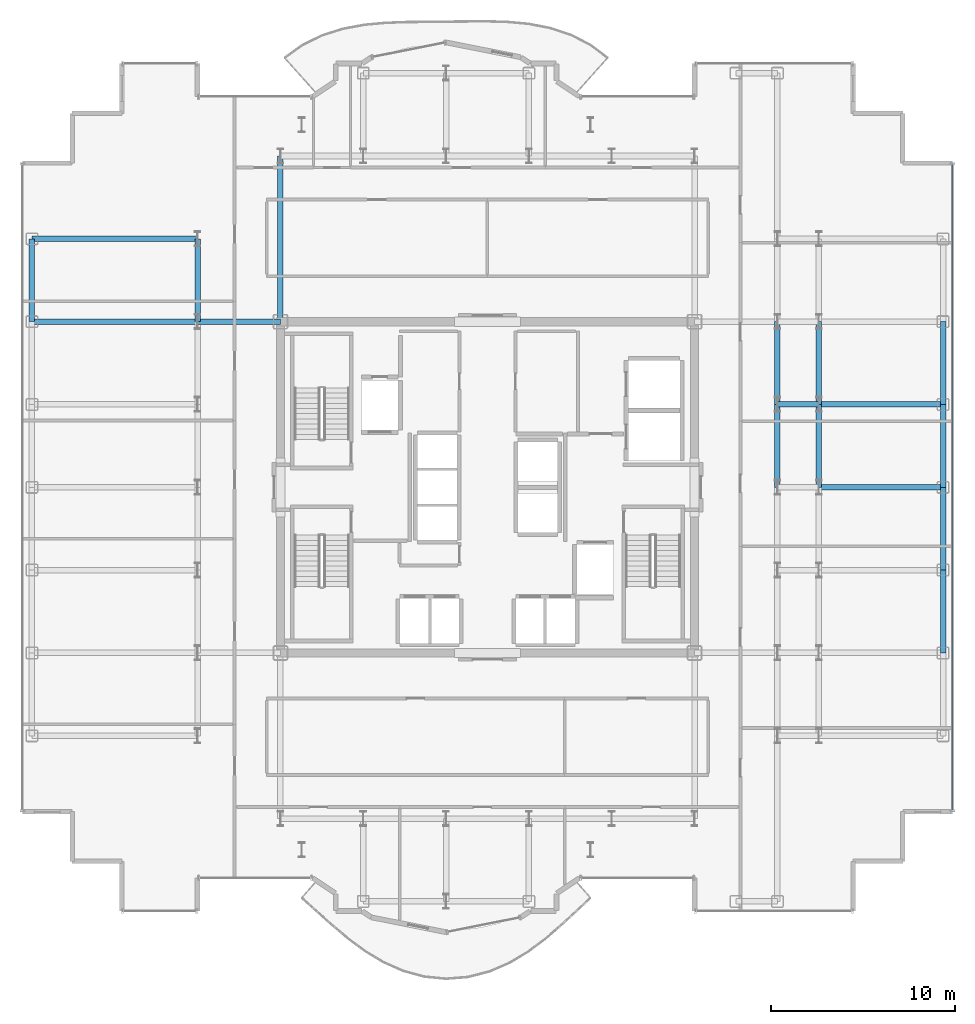
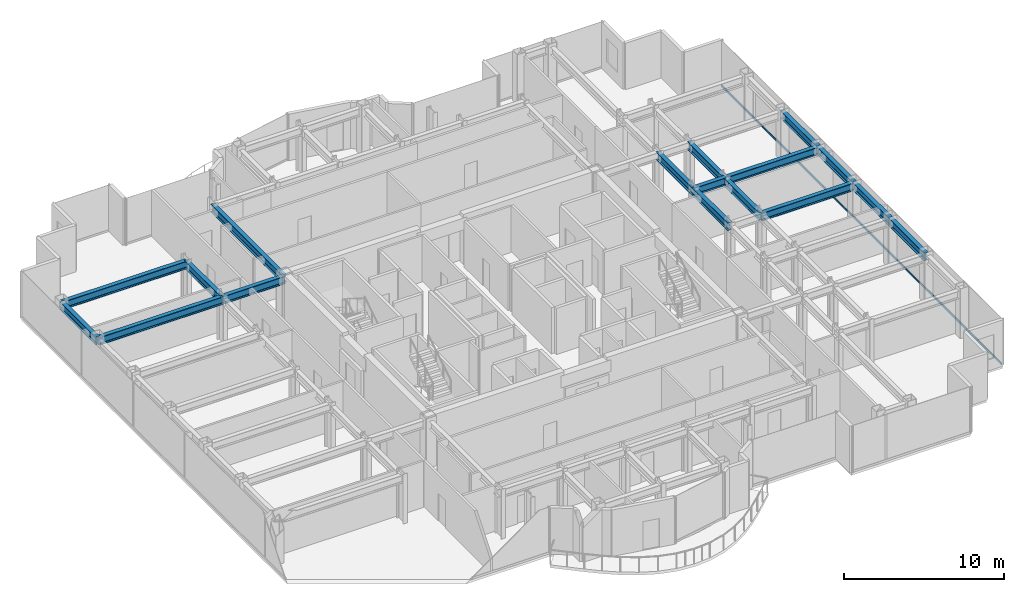
# One storey, part 7 of 20: 17 beams, 1 member, 1 element without a shape of its own.
"""IFC4 building model written with IfcOpenShell, lengths in metres."""

from ifc_helpers import new_model, si_unit, direction, frame, origin, origin_2d, place, context, subcontext, project, spatial, hollow_rectangle, i_section, extrude, source, transform, mapped, material, layer, layer_set, material_profile, profile_set, type_object, element, aggregate, save


model = new_model("IFC4")

# Units and contexts
model_context = context("Model", 3, precision=1e-05, world=origin(), true_north=direction((0.0, 1.0)))
body_context = subcontext(model_context, "Body", "Model", "MODEL_VIEW")
ifc_project = project(units=[si_unit("LENGTHUNIT", "METRE"), si_unit("AREAUNIT", "SQUARE_METRE"), si_unit("VOLUMEUNIT", "CUBIC_METRE"), si_unit("PLANEANGLEUNIT", "RADIAN"), si_unit("MASSUNIT", "GRAM", prefix="KILO")], contexts=[model_context])

# Site, building, storey
site_placement = place(None, origin())
site = spatial("IfcSite", under=ifc_project, at=site_placement, CompositionType="ELEMENT")
building_placement = place(site_placement, origin())
building = spatial("IfcBuilding", under=site, at=building_placement, Name="Nefas-Gora Pilgrimage Tower", CompositionType="ELEMENT")
storey_placement = place(building_placement, frame((0.0, 0.0, 225.60009765625)))
storey = spatial("IfcBuildingStorey", under=building, at=storey_placement, Name="L56", CompositionType="ELEMENT", Elevation=225.60009765625)

# Beams
ifc_material_1 = material(Name="Steel S355", Category="steel")
ifc_material_profile_1 = material_profile(ifc_material_1, i_section(OverallWidth=0.300048828125, OverallDepth=0.60009765625, WebThickness=0.015380859375, FlangeThickness=0.030029296875, FilletRadius=0.027099609375, at=origin_2d()), Name="HEB 600")
ifc_profile_set_1 = profile_set([ifc_material_profile_1], Name="Steel S355")
beam_type_1 = type_object("IfcBeamType", Name="BM-SPN-HEB450", PredefinedType="SPANDREL", material=ifc_profile_set_1)
shared_shape_1 = source(origin(), body_context, "Body", "SweptSolid", [
    extrude(i_section(OverallWidth=0.300048828125, OverallDepth=0.60009765625, WebThickness=0.015380859375, FlangeThickness=0.030029296875, FilletRadius=0.027099609375, at=origin_2d()), origin(), (0.0, 0.0, 1.0), 4.5),
])
for number, where, z_axis, x_axis, name in (
    (1, (-24.75, 9.0, 3.25), (0.0, 1.0, 0.0), (-1.0, 0.0, 0.0), "L56 SP-03 beam"),
    (2, (24.75, -9.0, 3.25), (0.0, 1.0, 0.0), (-1.0, 0.0, 0.0), "L56 SP-03 beam"),
    (3, (24.75, -4.5, 3.25), (0.0, 1.0, 0.0), (-1.0, 0.0, 0.0), "L56 SP-03 beam"),
    (4, (24.75, 0.0, 3.25), (0.0, 1.0, 0.0), (-1.0, 0.0, 0.0), "L56 SP-03 beam"),
    (5, (24.75, 4.5, 3.25), (0.0, 1.0, 0.0), (-1.0, 0.0, 0.0), "L56 SP-03 beam"),
):
    element("IfcBeam", number, at=place(storey_placement, frame(where, z_axis=z_axis, x_axis=x_axis)), inside=storey, type_object=beam_type_1, Name=name, PredefinedType="SPANDREL", context=body_context, shape_type="MappedRepresentation", body=[
        mapped(shared_shape_1, transform((0.0, 0.0, 0.0), x_axis=(1.0, 0.0, 0.0), y_axis=(0.0, 1.0, 0.0), z_axis=(0.0, 0.0, 1.0), scale=1.0)),
    ])
ifc_material_profile_2 = material_profile(ifc_material_1, i_section(OverallWidth=0.300048828125, OverallDepth=0.60009765625, WebThickness=0.015380859375, FlangeThickness=0.030029296875, FilletRadius=0.027099609375, at=origin_2d()), Name="HEB 600")
ifc_profile_set_2 = profile_set([ifc_material_profile_2], Name="Steel S355")
beam_type_2 = type_object("IfcBeamType", Name="BM-GIR-HEB600", PredefinedType="BEAM", material=ifc_profile_set_2)
shared_shape_2 = source(origin(), body_context, "Body", "SweptSolid", [
    extrude(i_section(OverallWidth=0.300048828125, OverallDepth=0.60009765625, WebThickness=0.015380859375, FlangeThickness=0.030029296875, FilletRadius=0.027099609375, at=origin_2d()), origin(), (0.0, 0.0, 1.0), 9.0),
])
for number, where, z_axis, x_axis, name in (
    (6, (-24.75, 9.0, 3.25), (1.0, 0.0, 0.0), (0.0, 1.0, 0.0), "L56 G-04 beam"),
    (7, (-24.75, 13.5, 3.25), (1.0, 0.0, 0.0), (0.0, 1.0, 0.0), "L56 G-04 beam"),
    (8, (-11.25, 9.0, 3.25), (0.0, 1.0, 0.0), (-1.0, 0.0, 0.0), "L56 G-04 beam"),
):
    element("IfcBeam", number, at=place(storey_placement, frame(where, z_axis=z_axis, x_axis=x_axis)), inside=storey, type_object=beam_type_2, Name=name, PredefinedType="BEAM", context=body_context, shape_type="MappedRepresentation", body=[
        mapped(shared_shape_2, transform((0.0, 0.0, 0.0), x_axis=(1.0, 0.0, 0.0), y_axis=(0.0, 1.0, 0.0), z_axis=(0.0, 0.0, 1.0), scale=1.0)),
    ])
shared_shape_3 = source(origin(), body_context, "Body", "SweptSolid", [
    extrude(i_section(OverallWidth=0.300048828125, OverallDepth=0.60009765625, WebThickness=0.015380859375, FlangeThickness=0.030029296875, FilletRadius=0.027099609375, at=origin_2d()), origin(), (0.0, 0.0, 1.0), 4.5),
])
for number, where, z_axis, x_axis, name in (
    (9, (-15.75, 9.0, 3.25), (0.0, 1.0, 0.0), (-1.0, 0.0, 0.0), "L56 G-04 beam"),
    (10, (-15.75, 9.0, 3.25), (1.0, 0.0, 0.0), (0.0, 1.0, 0.0), "L56 G-04 beam"),
    (11, (15.75, 0.0, 3.25), (0.0, 1.0, 0.0), (-1.0, 0.0, 0.0), "L56 G-04 beam"),
    (12, (15.75, 4.5, 3.25), (0.0, 1.0, 0.0), (-1.0, 0.0, 0.0), "L56 G-04 beam"),
    (13, (18.0, 0.0, 3.25), (0.0, 1.0, 0.0), (-1.0, 0.0, 0.0), "L56 G-04 beam"),
    (14, (18.0, 4.5, 3.25), (0.0, 1.0, 0.0), (-1.0, 0.0, 0.0), "L56 G-04 beam"),
):
    element("IfcBeam", number, at=place(storey_placement, frame(where, z_axis=z_axis, x_axis=x_axis)), inside=storey, type_object=beam_type_2, Name=name, PredefinedType="BEAM", context=body_context, shape_type="MappedRepresentation", body=[
        mapped(shared_shape_3, transform((0.0, 0.0, 0.0), x_axis=(1.0, 0.0, 0.0), y_axis=(0.0, 1.0, 0.0), z_axis=(0.0, 0.0, 1.0), scale=1.0)),
    ])
shared_shape_4 = source(origin(), body_context, "Body", "SweptSolid", [
    extrude(i_section(OverallWidth=0.300048828125, OverallDepth=0.60009765625, WebThickness=0.015380859375, FlangeThickness=0.030029296875, FilletRadius=0.027099609375, at=origin_2d()), origin(), (0.0, 0.0, 1.0), 6.75),
])
for number, where, z_axis, x_axis, name in (
    (15, (18.0, 0.0, 3.25), (1.0, 0.0, 0.0), (0.0, 1.0, 0.0), "L56 G-04 beam"),
    (16, (18.0, 4.5, 3.25), (1.0, 0.0, 0.0), (0.0, 1.0, 0.0), "L56 G-04 beam"),
):
    element("IfcBeam", number, at=place(storey_placement, frame(where, z_axis=z_axis, x_axis=x_axis)), inside=storey, type_object=beam_type_2, Name=name, PredefinedType="BEAM", context=body_context, shape_type="MappedRepresentation", body=[
        mapped(shared_shape_4, transform((0.0, 0.0, 0.0), x_axis=(1.0, 0.0, 0.0), y_axis=(0.0, 1.0, 0.0), z_axis=(0.0, 0.0, 1.0), scale=1.0)),
    ])
shared_shape_5 = source(origin(), body_context, "Body", "SweptSolid", [
    extrude(i_section(OverallWidth=0.300048828125, OverallDepth=0.60009765625, WebThickness=0.015380859375, FlangeThickness=0.030029296875, FilletRadius=0.027099609375, at=origin_2d()), origin(), (0.0, 0.0, 1.0), 2.25),
])
beam_placement = place(storey_placement, frame((15.75, 4.5, 3.25), z_axis=(1.0, 0.0, 0.0), x_axis=(0.0, 1.0, 0.0)))
element("IfcBeam", 17, at=beam_placement, inside=storey, type_object=beam_type_2, Name="L56 G-04 beam", PredefinedType="BEAM", context=body_context, shape_type="MappedRepresentation", body=[
    mapped(shared_shape_5, transform((0.0, 0.0, 0.0), x_axis=(1.0, 0.0, 0.0), y_axis=(0.0, 1.0, 0.0), z_axis=(0.0, 0.0, 1.0), scale=1.0)),
])

# Curtain wall, member
ifc_material_2 = material(Name="Dark ceramic-fritted solar-control aluminium-glass curtain wall", Category="aluminium")
ifc_layer = layer(ifc_material_2, 0.219970703125)
ifc_layer_set = layer_set([ifc_layer], Name="Dark ceramic-fritted solar-control aluminium-glass curtain wall")
curtain_wall_type = type_object("IfcCurtainWallType", Name="CW-SYS-3", PredefinedType="NOTDEFINED", material=ifc_layer_set)
curtain_wall_placement = place(storey_placement, origin())
curtain_wall = element("IfcCurtainWall", 18, at=curtain_wall_placement, inside=storey, type_object=curtain_wall_type, Name="L56 Unitised Curtain Wall CW3", PredefinedType="NOTDEFINED")
ifc_material_3 = material(Name="Anodised architectural aluminium", Category="aluminium")
ifc_material_profile_3 = material_profile(ifc_material_3, hollow_rectangle(XDim=0.080078125, YDim=0.159912109375, WallThickness=0.00439453125, InnerFilletRadius=0.00439453125, OuterFilletRadius=0.009033203125, at=origin_2d()), Name="ALU TRANSOM 80x160")
ifc_profile_set_3 = profile_set([ifc_material_profile_3], Name="Anodised architectural aluminium")
member_type = type_object("IfcMemberType", Name="CWM-TRN-3", PredefinedType="USERDEFINED", material=ifc_profile_set_3)
shared_shape_6 = source(origin(), body_context, "Body", "SweptSolid", [
    extrude(hollow_rectangle(XDim=0.080078125, YDim=0.159912109375, WallThickness=0.00439453125, InnerFilletRadius=0.00439453125, OuterFilletRadius=0.009033203125, at=origin_2d()), origin(), (0.0, 0.0, 1.0), 35.06005859375),
])
member_placement = place(storey_placement, frame((25.27001953125, -17.530029296875, 0.0498046875), z_axis=(0.0, 1.0, 0.0), x_axis=(-1.0, 0.0, 0.0)))
member = element("IfcMember", 19, at=member_placement, type_object=member_type, Name="CW3 Spandrel Transom", ObjectType="TRANSOM", PredefinedType="USERDEFINED", context=body_context, shape_type="MappedRepresentation", body=[
    mapped(shared_shape_6, transform((0.0, 0.0, 0.0), x_axis=(1.0, 0.0, 0.0), y_axis=(0.0, 1.0, 0.0), z_axis=(0.0, 0.0, 1.0), scale=1.0)),
])
aggregate(curtain_wall, [member])

save(model, "model.ifc")
